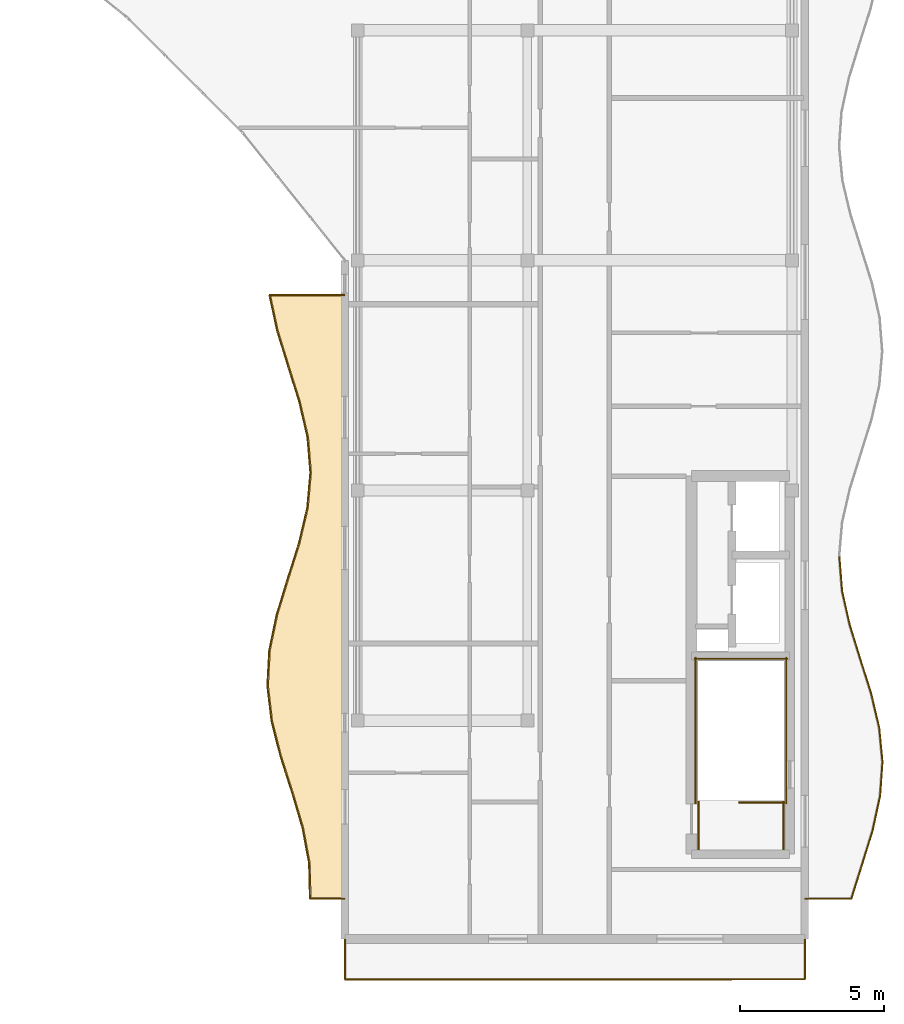
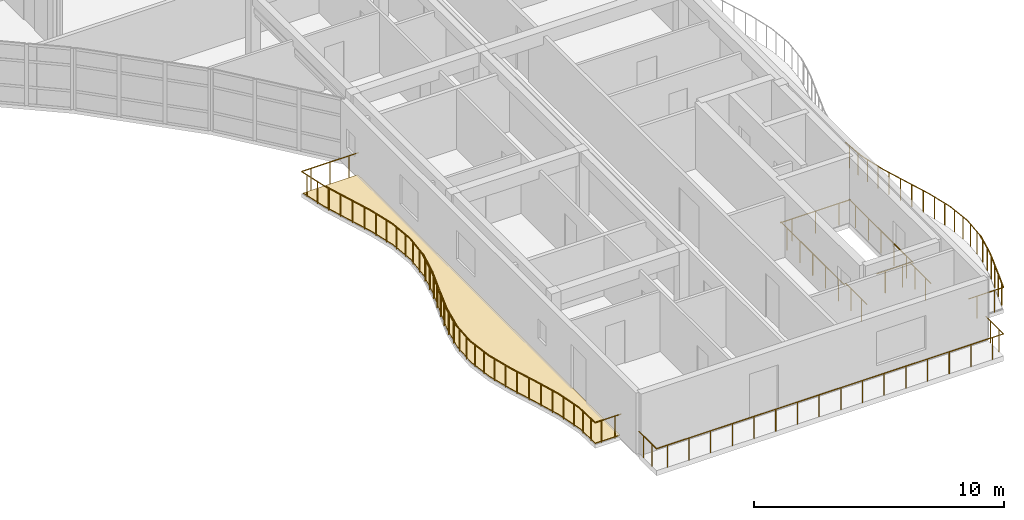
# One storey, part 12 of 14: 39 railings, 1 covering.
"""IFC4 building model written with IfcOpenShell, lengths in metres."""

from ifc_helpers import new_model, si_unit, direction, frame, origin, origin_2d, place, context, subcontext, project, spatial, polyline, circle, outline, extrude, material, layer, layer_set, type_object, element, save


model = new_model("IFC4")

# Units and contexts
model_context = context("Model", 3, precision=1e-05, world=origin(), true_north=direction((0.0, 1.0)))
body_context = subcontext(model_context, "Body", "Model", "MODEL_VIEW")
ifc_project = project(units=[si_unit("LENGTHUNIT", "METRE"), si_unit("AREAUNIT", "SQUARE_METRE"), si_unit("VOLUMEUNIT", "CUBIC_METRE"), si_unit("PLANEANGLEUNIT", "RADIAN"), si_unit("MASSUNIT", "GRAM", prefix="KILO")], contexts=[model_context])

# Site, building, storey
site_placement = place(None, origin())
site = spatial("IfcSite", under=ifc_project, at=site_placement, CompositionType="ELEMENT")
building_placement = place(site_placement, origin())
building = spatial("IfcBuilding", under=site, at=building_placement, Name="Keldmere Railside Commons", CompositionType="ELEMENT")
storey_placement = place(building_placement, frame((0.0, 0.0, 42.56005859375)))
storey = spatial("IfcBuildingStorey", under=building, at=storey_placement, Name="L13", CompositionType="ELEMENT", Elevation=42.56005859375)

# Railings
ifc_material_1 = material(Name="Steel F-24 (S235)", Category="steel")
railing_type_1 = type_object("IfcRailingType", Name="Balcony & Terrace Steel Balustrade 1100", PredefinedType="BALUSTRADE", material=ifc_material_1)
railing_1_placement = place(storey_placement, frame((168.0, 65.800048828125, 0.0)))
element("IfcRailing", 1, at=railing_1_placement, inside=storey, type_object=railing_type_1, Name="GR-1 GRD-L13-4683", PredefinedType="BALUSTRADE", context=body_context, shape_type="SweptSolid", body=[
    extrude(circle(Radius=0.02392578125, at=origin_2d()), frame((0.0, 0.0, 1.076171875), z_axis=(-1.0, 0.0, 0.0), x_axis=(0.0, -1.0, 0.0)), (0.0, 0.0, 1.0), 1.21435546875),
    extrude(circle(Radius=0.02099609375, at=origin_2d()), frame((-0.3037109375, 0.0, 0.0)), (0.0, 0.0, 1.0), 1.048095703125),
    extrude(circle(Radius=0.02099609375, at=origin_2d()), frame((-0.91064453125, 0.0, 0.0)), (0.0, 0.0, 1.0), 1.048095703125),
])
railing_2_placement = place(storey_placement, frame((166.78564453125, 65.800048828125, 0.0)))
element("IfcRailing", 2, at=railing_2_placement, inside=storey, type_object=railing_type_1, Name="GR-1 GRD-L13-4684", PredefinedType="BALUSTRADE", context=body_context, shape_type="SweptSolid", body=[
    extrude(circle(Radius=0.02392578125, at=origin_2d()), frame((0.0, 0.0, 1.076171875), z_axis=(-0.023906209268, 0.99971420574, 0.0), x_axis=(-0.99971420574, -0.023906209268, 0.0)), (0.0, 0.0, 1.0), 1.235595703125),
    extrude(circle(Radius=0.02099609375, at=origin_2d()), frame((-0.00732421875, 0.308837890625, 0.0)), (0.0, 0.0, 1.0), 1.048095703125),
    extrude(circle(Radius=0.02099609375, at=origin_2d()), frame((-0.022216796875, 0.926513671875, 0.0)), (0.0, 0.0, 1.0), 1.048095703125),
])
railing_3_placement = place(storey_placement, frame((166.756103515625, 67.035400390625, 0.0)))
element("IfcRailing", 3, at=railing_3_placement, inside=storey, type_object=railing_type_1, Name="GR-1 GRD-L13-4685", PredefinedType="BALUSTRADE", context=body_context, shape_type="SweptSolid", body=[
    extrude(circle(Radius=0.02392578125, at=origin_2d()), frame((0.0, 0.0, 1.076171875), z_axis=(-0.182680756575, 0.983172284586, 0.0), x_axis=(-0.983172284586, -0.182680756575, 0.0)), (0.0, 0.0, 1.0), 1.25634765625),
    extrude(circle(Radius=0.02099609375, at=origin_2d()), frame((-0.057373046875, 0.308837890625, 0.0)), (0.0, 0.0, 1.0), 1.048095703125),
    extrude(circle(Radius=0.02099609375, at=origin_2d()), frame((-0.172119140625, 0.92626953125, 0.0)), (0.0, 0.0, 1.0), 1.048095703125),
])
railing_4_placement = place(storey_placement, frame((166.526611328125, 68.2705078125, 0.0)))
element("IfcRailing", 4, at=railing_4_placement, inside=storey, type_object=railing_type_1, Name="GR-1 GRD-L13-4686", PredefinedType="BALUSTRADE", context=body_context, shape_type="SweptSolid", body=[
    extrude(circle(Radius=0.02392578125, at=origin_2d()), frame((0.0, 0.0, 1.076171875), z_axis=(-0.283346141017, 0.959017708059, 0.0), x_axis=(-0.959017708059, -0.283346141017, 0.0)), (0.0, 0.0, 1.0), 1.2880859375),
    extrude(circle(Radius=0.02099609375, at=origin_2d()), frame((-0.09130859375, 0.308837890625, 0.0)), (0.0, 0.0, 1.0), 1.048095703125),
    extrude(circle(Radius=0.02099609375, at=origin_2d()), frame((-0.273681640625, 0.926513671875, 0.0)), (0.0, 0.0, 1.0), 1.048095703125),
])
railing_5_placement = place(storey_placement, frame((166.16162109375, 69.505859375, 0.0)))
element("IfcRailing", 5, at=railing_5_placement, inside=storey, type_object=railing_type_1, Name="GR-1 GRD-L13-4687", PredefinedType="BALUSTRADE", context=body_context, shape_type="SweptSolid", body=[
    extrude(circle(Radius=0.02392578125, at=origin_2d()), frame((0.0, 0.0, 1.076171875), z_axis=(-0.305594950601, 0.952161607169, 0.0), x_axis=(-0.952161607169, -0.305594950601, 0.0)), (0.0, 0.0, 1.0), 1.29736328125),
    extrude(circle(Radius=0.02099609375, at=origin_2d()), frame((-0.09912109375, 0.308837890625, 0.0)), (0.0, 0.0, 1.0), 1.048095703125),
    extrude(circle(Radius=0.02099609375, at=origin_2d()), frame((-0.29736328125, 0.926513671875, 0.0)), (0.0, 0.0, 1.0), 1.048095703125),
])
railing_6_placement = place(storey_placement, frame((165.76513671875, 70.7412109375, 0.0)))
element("IfcRailing", 6, at=railing_6_placement, inside=storey, type_object=railing_type_1, Name="GR-1 GRD-L13-4688", PredefinedType="BALUSTRADE", context=body_context, shape_type="SweptSolid", body=[
    extrude(circle(Radius=0.02392578125, at=origin_2d()), frame((0.0, 0.0, 1.076171875), z_axis=(-0.24757829663, 0.968867889363, 0.0), x_axis=(-0.968867889363, -0.24757829663, 0.0)), (0.0, 0.0, 1.0), 1.275146484375),
    extrude(circle(Radius=0.02099609375, at=origin_2d()), frame((-0.078857421875, 0.308837890625, 0.0)), (0.0, 0.0, 1.0), 1.048095703125),
    extrude(circle(Radius=0.02099609375, at=origin_2d()), frame((-0.23681640625, 0.926513671875, 0.0)), (0.0, 0.0, 1.0), 1.048095703125),
])
railing_7_placement = place(storey_placement, frame((165.449462890625, 71.9765625, 0.0)))
element("IfcRailing", 7, at=railing_7_placement, inside=storey, type_object=railing_type_1, Name="GR-1 GRD-L13-4689", PredefinedType="BALUSTRADE", context=body_context, shape_type="SweptSolid", body=[
    extrude(circle(Radius=0.02392578125, at=origin_2d()), frame((0.0, 0.0, 1.076171875), z_axis=(-0.116977899756, 0.993134518063, 0.0), x_axis=(-0.993134518063, -0.116977899756, 0.0)), (0.0, 0.0, 1.0), 1.243896484375),
    extrude(circle(Radius=0.02099609375, at=origin_2d()), frame((-0.036376953125, 0.308837890625, 0.0)), (0.0, 0.0, 1.0), 1.048095703125),
    extrude(circle(Radius=0.02099609375, at=origin_2d()), frame((-0.109130859375, 0.926513671875, 0.0)), (0.0, 0.0, 1.0), 1.048095703125),
])
railing_8_placement = place(storey_placement, frame((165.303955078125, 73.2119140625, 0.0)))
element("IfcRailing", 8, at=railing_8_placement, inside=storey, type_object=railing_type_1, Name="GR-1 GRD-L13-4690", PredefinedType="BALUSTRADE", context=body_context, shape_type="SweptSolid", body=[
    extrude(circle(Radius=0.02392578125, at=origin_2d()), frame((0.0, 0.0, 1.076171875), z_axis=(0.053491206734, 0.998568320548, 0.0), x_axis=(-0.998568320548, 0.053491206734, 0.0)), (0.0, 0.0, 1.0), 1.23681640625),
    extrude(circle(Radius=0.02099609375, at=origin_2d()), frame((0.0166015625, 0.308837890625, 0.0)), (0.0, 0.0, 1.0), 1.048095703125),
    extrude(circle(Radius=0.02099609375, at=origin_2d()), frame((0.049560546875, 0.92626953125, 0.0)), (0.0, 0.0, 1.0), 1.048095703125),
])
railing_9_placement = place(storey_placement, frame((165.3701171875, 74.447021484375, 0.0)))
element("IfcRailing", 9, at=railing_9_placement, inside=storey, type_object=railing_type_1, Name="GR-1 GRD-L13-4691", PredefinedType="BALUSTRADE", context=body_context, shape_type="SweptSolid", body=[
    extrude(circle(Radius=0.02392578125, at=origin_2d()), frame((0.0, 0.0, 1.076171875), z_axis=(0.205035533934, 0.978754529913, 0.0), x_axis=(-0.978754529913, 0.205035533934, 0.0)), (0.0, 0.0, 1.0), 1.26220703125),
    extrude(circle(Radius=0.02099609375, at=origin_2d()), frame((0.064697265625, 0.308837890625, 0.0)), (0.0, 0.0, 1.0), 1.048095703125),
    extrude(circle(Radius=0.02099609375, at=origin_2d()), frame((0.194091796875, 0.926513671875, 0.0)), (0.0, 0.0, 1.0), 1.048095703125),
])
railing_10_placement = place(storey_placement, frame((165.62890625, 75.682373046875, 0.0)))
element("IfcRailing", 10, at=railing_10_placement, inside=storey, type_object=railing_type_1, Name="GR-1 GRD-L13-4692", PredefinedType="BALUSTRADE", context=body_context, shape_type="SweptSolid", body=[
    extrude(circle(Radius=0.02392578125, at=origin_2d()), frame((0.0, 0.0, 1.076171875), z_axis=(0.292943491263, 0.956129756323, 0.0), x_axis=(-0.956129756323, 0.292943491263, 0.0)), (0.0, 0.0, 1.0), 1.291748046875),
    extrude(circle(Radius=0.02099609375, at=origin_2d()), frame((0.0947265625, 0.308837890625, 0.0)), (0.0, 0.0, 1.0), 1.048095703125),
    extrude(circle(Radius=0.02099609375, at=origin_2d()), frame((0.28369140625, 0.92626953125, 0.0)), (0.0, 0.0, 1.0), 1.048095703125),
])
railing_11_placement = place(storey_placement, frame((166.00732421875, 76.91748046875, 0.0)))
element("IfcRailing", 11, at=railing_11_placement, inside=storey, type_object=railing_type_1, Name="GR-1 GRD-L13-4693", PredefinedType="BALUSTRADE", context=body_context, shape_type="SweptSolid", body=[
    extrude(circle(Radius=0.02392578125, at=origin_2d()), frame((0.0, 0.0, 1.076171875), z_axis=(0.301320754583, 0.953522838142, 0.0), x_axis=(-0.953522838142, 0.301320754583, 0.0)), (0.0, 0.0, 1.0), 1.295654296875),
    extrude(circle(Radius=0.02099609375, at=origin_2d()), frame((0.09765625, 0.308837890625, 0.0)), (0.0, 0.0, 1.0), 1.048095703125),
    extrude(circle(Radius=0.02099609375, at=origin_2d()), frame((0.292724609375, 0.926513671875, 0.0)), (0.0, 0.0, 1.0), 1.048095703125),
])
railing_12_placement = place(storey_placement, frame((166.397705078125, 78.15283203125, 0.0)))
element("IfcRailing", 12, at=railing_12_placement, inside=storey, type_object=railing_type_1, Name="GR-1 GRD-L13-4694", PredefinedType="BALUSTRADE", context=body_context, shape_type="SweptSolid", body=[
    extrude(circle(Radius=0.02392578125, at=origin_2d()), frame((0.0, 0.0, 1.076171875), z_axis=(0.229843289324, 0.973227651864, 0.0), x_axis=(-0.973227651864, 0.229843289324, 0.0)), (0.0, 0.0, 1.0), 1.269287109375),
    extrude(circle(Radius=0.02099609375, at=origin_2d()), frame((0.072998046875, 0.308837890625, 0.0)), (0.0, 0.0, 1.0), 1.048095703125),
    extrude(circle(Radius=0.02099609375, at=origin_2d()), frame((0.21875, 0.926513671875, 0.0)), (0.0, 0.0, 1.0), 1.048095703125),
])
railing_13_placement = place(storey_placement, frame((166.689453125, 79.38818359375, 0.0)))
element("IfcRailing", 13, at=railing_13_placement, inside=storey, type_object=railing_type_1, Name="GR-1 GRD-L13-4695", PredefinedType="BALUSTRADE", context=body_context, shape_type="SweptSolid", body=[
    extrude(circle(Radius=0.02392578125, at=origin_2d()), frame((0.0, 0.0, 1.076171875), z_axis=(0.089169066525, 0.99601650467, 0.0), x_axis=(-0.99601650467, 0.089169066525, 0.0)), (0.0, 0.0, 1.0), 1.240234375),
    extrude(circle(Radius=0.02099609375, at=origin_2d()), frame((0.027587890625, 0.308837890625, 0.0)), (0.0, 0.0, 1.0), 1.048095703125),
    extrude(circle(Radius=0.02099609375, at=origin_2d()), frame((0.0830078125, 0.926513671875, 0.0)), (0.0, 0.0, 1.0), 1.048095703125),
])
railing_14_placement = place(storey_placement, frame((166.800048828125, 80.62353515625, 0.0)))
element("IfcRailing", 14, at=railing_14_placement, inside=storey, type_object=railing_type_1, Name="GR-1 GRD-L13-4696", PredefinedType="BALUSTRADE", context=body_context, shape_type="SweptSolid", body=[
    extrude(circle(Radius=0.02392578125, at=origin_2d()), frame((0.0, 0.0, 1.076171875), z_axis=(-0.082523878988, 0.996589087536, 0.0), x_axis=(-0.996589087536, -0.082523878988, 0.0)), (0.0, 0.0, 1.0), 1.239501953125),
    extrude(circle(Radius=0.02099609375, at=origin_2d()), frame((-0.025634765625, 0.308837890625, 0.0)), (0.0, 0.0, 1.0), 1.048095703125),
    extrude(circle(Radius=0.02099609375, at=origin_2d()), frame((-0.07666015625, 0.926513671875, 0.0)), (0.0, 0.0, 1.0), 1.048095703125),
])
railing_15_placement = place(storey_placement, frame((166.69775390625, 81.85888671875, 0.0)))
element("IfcRailing", 15, at=railing_15_placement, inside=storey, type_object=railing_type_1, Name="GR-1 GRD-L13-4697", PredefinedType="BALUSTRADE", context=body_context, shape_type="SweptSolid", body=[
    extrude(circle(Radius=0.02392578125, at=origin_2d()), frame((0.0, 0.0, 1.076171875), z_axis=(-0.225506425741, 0.974241680462, 0.0), x_axis=(-0.974241680462, -0.225506425741, 0.0)), (0.0, 0.0, 1.0), 1.267822265625),
    extrude(circle(Radius=0.02099609375, at=origin_2d()), frame((-0.071533203125, 0.308837890625, 0.0)), (0.0, 0.0, 1.0), 1.048095703125),
    extrude(circle(Radius=0.02099609375, at=origin_2d()), frame((-0.21435546875, 0.92626953125, 0.0)), (0.0, 0.0, 1.0), 1.048095703125),
])
railing_16_placement = place(storey_placement, frame((166.411865234375, 83.093994140625, 0.0)))
element("IfcRailing", 16, at=railing_16_placement, inside=storey, type_object=railing_type_1, Name="GR-1 GRD-L13-4698", PredefinedType="BALUSTRADE", context=body_context, shape_type="SweptSolid", body=[
    extrude(circle(Radius=0.02392578125, at=origin_2d()), frame((0.0, 0.0, 1.076171875), z_axis=(-0.299949151924, 0.953955190908, 0.0), x_axis=(-0.953955190908, -0.299949151924, 0.0)), (0.0, 0.0, 1.0), 1.294921875),
    extrude(circle(Radius=0.02099609375, at=origin_2d()), frame((-0.09716796875, 0.308837890625, 0.0)), (0.0, 0.0, 1.0), 1.048095703125),
    extrude(circle(Radius=0.02099609375, at=origin_2d()), frame((-0.291259765625, 0.926513671875, 0.0)), (0.0, 0.0, 1.0), 1.048095703125),
])
railing_17_placement = place(storey_placement, frame((166.0234375, 84.329345703125, 0.0)))
element("IfcRailing", 17, at=railing_17_placement, inside=storey, type_object=railing_type_1, Name="GR-1 GRD-L13-4699", PredefinedType="BALUSTRADE", context=body_context, shape_type="SweptSolid", body=[
    extrude(circle(Radius=0.02392578125, at=origin_2d()), frame((0.0, 0.0, 1.076171875), z_axis=(-0.29461664428, 0.955615525676, 0.0), x_axis=(-0.955615525676, -0.29461664428, 0.0)), (0.0, 0.0, 1.0), 1.292724609375),
    extrude(circle(Radius=0.02099609375, at=origin_2d()), frame((-0.09521484375, 0.308837890625, 0.0)), (0.0, 0.0, 1.0), 1.048095703125),
    extrude(circle(Radius=0.02099609375, at=origin_2d()), frame((-0.28564453125, 0.926513671875, 0.0)), (0.0, 0.0, 1.0), 1.048095703125),
])
railing_18_placement = place(storey_placement, frame((165.642578125, 85.564697265625, 0.0)))
element("IfcRailing", 18, at=railing_18_placement, inside=storey, type_object=railing_type_1, Name="GR-1 GRD-L13-4700", PredefinedType="BALUSTRADE", context=body_context, shape_type="SweptSolid", body=[
    extrude(circle(Radius=0.02392578125, at=origin_2d()), frame((0.0, 0.0, 1.076171875), z_axis=(-0.210030491483, 0.977694836157, 0.0), x_axis=(-0.977694836157, -0.210030491483, 0.0)), (0.0, 0.0, 1.0), 1.263427734375),
    extrude(circle(Radius=0.02099609375, at=origin_2d()), frame((-0.06640625, 0.308837890625, 0.0)), (0.0, 0.0, 1.0), 1.048095703125),
    extrude(circle(Radius=0.02099609375, at=origin_2d()), frame((-0.198974609375, 0.926513671875, 0.0)), (0.0, 0.0, 1.0), 1.048095703125),
])
railing_19_placement = place(storey_placement, frame((165.377197265625, 86.800048828125, 0.0)))
element("IfcRailing", 19, at=railing_19_placement, inside=storey, type_object=railing_type_1, Name="GR-1 GRD-L13-4701", PredefinedType="BALUSTRADE", context=body_context, shape_type="SweptSolid", body=[
    extrude(circle(Radius=0.02392578125, at=origin_2d()), frame((0.0, 0.0, 1.076171875), z_axis=(1.0, 0.0, 0.0), x_axis=(0.0, 1.0, 0.0)), (0.0, 0.0, 1.0), 2.622802734375),
    extrude(circle(Radius=0.02099609375, at=origin_2d()), frame((0.43701171875, 0.0, 0.0)), (0.0, 0.0, 1.0), 1.048095703125),
    extrude(circle(Radius=0.02099609375, at=origin_2d()), frame((1.3115234375, 0.0, 0.0)), (0.0, 0.0, 1.0), 1.048095703125),
    extrude(circle(Radius=0.02099609375, at=origin_2d()), frame((2.185546875, 0.0, 0.0)), (0.0, 0.0, 1.0), 1.048095703125),
])
railing_20_placement = place(storey_placement, frame((184.0, 65.800048828125, 0.0)))
element("IfcRailing", 20, at=railing_20_placement, inside=storey, type_object=railing_type_1, Name="GR-1 GRD-L13-4702", PredefinedType="BALUSTRADE", context=body_context, shape_type="SweptSolid", body=[
    extrude(circle(Radius=0.02392578125, at=origin_2d()), frame((0.0, 0.0, 1.076171875), z_axis=(1.0, 0.0, 0.0), x_axis=(0.0, 1.0, 0.0)), (0.0, 0.0, 1.0), 1.61279296875),
    extrude(circle(Radius=0.02099609375, at=origin_2d()), frame((0.4033203125, 0.0, 0.0)), (0.0, 0.0, 1.0), 1.048095703125),
    extrude(circle(Radius=0.02099609375, at=origin_2d()), frame((1.20947265625, 0.0, 0.0)), (0.0, 0.0, 1.0), 1.048095703125),
])
railing_21_placement = place(storey_placement, frame((185.61279296875, 65.800048828125, 0.0)))
element("IfcRailing", 21, at=railing_21_placement, inside=storey, type_object=railing_type_1, Name="GR-1 GRD-L13-4703", PredefinedType="BALUSTRADE", context=body_context, shape_type="SweptSolid", body=[
    extrude(circle(Radius=0.02392578125, at=origin_2d()), frame((0.0, 0.0, 1.076171875), z_axis=(0.301870960272, 0.95334879417, 0.0), x_axis=(-0.95334879417, 0.301870960272, 0.0)), (0.0, 0.0, 1.0), 1.247802734375),
    extrude(circle(Radius=0.02099609375, at=origin_2d()), frame((0.09423828125, 0.29736328125, 0.0)), (0.0, 0.0, 1.0), 1.048095703125),
    extrude(circle(Radius=0.02099609375, at=origin_2d()), frame((0.282470703125, 0.892333984375, 0.0)), (0.0, 0.0, 1.0), 1.048095703125),
])
railing_22_placement = place(storey_placement, frame((185.989501953125, 66.98974609375, 0.0)))
element("IfcRailing", 22, at=railing_22_placement, inside=storey, type_object=railing_type_1, Name="GR-1 GRD-L13-4704", PredefinedType="BALUSTRADE", context=body_context, shape_type="SweptSolid", body=[
    extrude(circle(Radius=0.02392578125, at=origin_2d()), frame((0.0, 0.0, 1.076171875), z_axis=(0.294375244008, 0.95568991609, 0.0), x_axis=(-0.95568991609, 0.294375244008, 0.0)), (0.0, 0.0, 1.0), 1.244873046875),
    extrude(circle(Radius=0.02099609375, at=origin_2d()), frame((0.091552734375, 0.29736328125, 0.0)), (0.0, 0.0, 1.0), 1.048095703125),
    extrude(circle(Radius=0.02099609375, at=origin_2d()), frame((0.27490234375, 0.892333984375, 0.0)), (0.0, 0.0, 1.0), 1.048095703125),
])
railing_23_placement = place(storey_placement, frame((186.35595703125, 68.179443359375, 0.0)))
element("IfcRailing", 23, at=railing_23_placement, inside=storey, type_object=railing_type_1, Name="GR-1 GRD-L13-4705", PredefinedType="BALUSTRADE", context=body_context, shape_type="SweptSolid", body=[
    extrude(circle(Radius=0.02392578125, at=origin_2d()), frame((0.0, 0.0, 1.076171875), z_axis=(0.212937395341, 0.977065845102, 0.0), x_axis=(-0.977065845102, 0.212937395341, 0.0)), (0.0, 0.0, 1.0), 1.217529296875),
    extrude(circle(Radius=0.02099609375, at=origin_2d()), frame((0.06494140625, 0.29736328125, 0.0)), (0.0, 0.0, 1.0), 1.048095703125),
    extrude(circle(Radius=0.02099609375, at=origin_2d()), frame((0.1943359375, 0.892333984375, 0.0)), (0.0, 0.0, 1.0), 1.048095703125),
])
railing_24_placement = place(storey_placement, frame((186.615234375, 69.369140625, 0.0)))
element("IfcRailing", 24, at=railing_24_placement, inside=storey, type_object=railing_type_1, Name="GR-1 GRD-L13-4706", PredefinedType="BALUSTRADE", context=body_context, shape_type="SweptSolid", body=[
    extrude(circle(Radius=0.02392578125, at=origin_2d()), frame((0.0, 0.0, 1.076171875), z_axis=(0.070607088783, 0.99750420501, 0.0), x_axis=(-0.99750420501, 0.070607088783, 0.0)), (0.0, 0.0, 1.0), 1.19287109375),
    extrude(circle(Radius=0.02099609375, at=origin_2d()), frame((0.02099609375, 0.29736328125, 0.0)), (0.0, 0.0, 1.0), 1.048095703125),
    extrude(circle(Radius=0.02099609375, at=origin_2d()), frame((0.063232421875, 0.892578125, 0.0)), (0.0, 0.0, 1.0), 1.048095703125),
])
railing_25_placement = place(storey_placement, frame((186.699462890625, 70.55908203125, 0.0)))
element("IfcRailing", 25, at=railing_25_placement, inside=storey, type_object=railing_type_1, Name="GR-1 GRD-L13-4707", PredefinedType="BALUSTRADE", context=body_context, shape_type="SweptSolid", body=[
    extrude(circle(Radius=0.02392578125, at=origin_2d()), frame((0.0, 0.0, 1.076171875), z_axis=(-0.094789811459, 0.995497308707, 0.0), x_axis=(-0.995497308707, -0.094789811459, 0.0)), (0.0, 0.0, 1.0), 1.195068359375),
    extrude(circle(Radius=0.02099609375, at=origin_2d()), frame((-0.0283203125, 0.29736328125, 0.0)), (0.0, 0.0, 1.0), 1.048095703125),
    extrude(circle(Radius=0.02099609375, at=origin_2d()), frame((-0.0849609375, 0.892333984375, 0.0)), (0.0, 0.0, 1.0), 1.048095703125),
])
railing_26_placement = place(storey_placement, frame((186.586181640625, 71.748779296875, 0.0)))
element("IfcRailing", 26, at=railing_26_placement, inside=storey, type_object=railing_type_1, Name="GR-1 GRD-L13-4708", PredefinedType="BALUSTRADE", context=body_context, shape_type="SweptSolid", body=[
    extrude(circle(Radius=0.02392578125, at=origin_2d()), frame((0.0, 0.0, 1.076171875), z_axis=(-0.229874131532, 0.973220367467, 0.0), x_axis=(-0.973220367467, -0.229874131532, 0.0)), (0.0, 0.0, 1.0), 1.222412109375),
    extrude(circle(Radius=0.02099609375, at=origin_2d()), frame((-0.0703125, 0.29736328125, 0.0)), (0.0, 0.0, 1.0), 1.048095703125),
    extrude(circle(Radius=0.02099609375, at=origin_2d()), frame((-0.210693359375, 0.892333984375, 0.0)), (0.0, 0.0, 1.0), 1.048095703125),
])
railing_27_placement = place(storey_placement, frame((186.30517578125, 72.9384765625, 0.0)))
element("IfcRailing", 27, at=railing_27_placement, inside=storey, type_object=railing_type_1, Name="GR-1 GRD-L13-4709", PredefinedType="BALUSTRADE", context=body_context, shape_type="SweptSolid", body=[
    extrude(circle(Radius=0.02392578125, at=origin_2d()), frame((0.0, 0.0, 1.076171875), z_axis=(-0.300269385159, 0.953854441902, 0.0), x_axis=(-0.953854441902, -0.300269385159, 0.0)), (0.0, 0.0, 1.0), 1.247314453125),
    extrude(circle(Radius=0.02099609375, at=origin_2d()), frame((-0.09375, 0.29736328125, 0.0)), (0.0, 0.0, 1.0), 1.048095703125),
    extrude(circle(Radius=0.02099609375, at=origin_2d()), frame((-0.28076171875, 0.892333984375, 0.0)), (0.0, 0.0, 1.0), 1.048095703125),
])
railing_28_placement = place(storey_placement, frame((185.9306640625, 74.128173828125, 0.0)))
element("IfcRailing", 28, at=railing_28_placement, inside=storey, type_object=railing_type_1, Name="GR-1 GRD-L13-4710", PredefinedType="BALUSTRADE", context=body_context, shape_type="SweptSolid", body=[
    extrude(circle(Radius=0.02392578125, at=origin_2d()), frame((0.0, 0.0, 1.076171875), z_axis=(-0.29652249898, 0.955025867502, 0.0), x_axis=(-0.955025867502, -0.29652249898, 0.0)), (0.0, 0.0, 1.0), 1.24560546875),
    extrude(circle(Radius=0.02099609375, at=origin_2d()), frame((-0.09228515625, 0.29736328125, 0.0)), (0.0, 0.0, 1.0), 1.048095703125),
    extrude(circle(Radius=0.02099609375, at=origin_2d()), frame((-0.277099609375, 0.892333984375, 0.0)), (0.0, 0.0, 1.0), 1.048095703125),
])
railing_29_placement = place(storey_placement, frame((185.561279296875, 75.31787109375, 0.0)))
element("IfcRailing", 29, at=railing_29_placement, inside=storey, type_object=railing_type_1, Name="GR-1 GRD-L13-4711", PredefinedType="BALUSTRADE", context=body_context, shape_type="SweptSolid", body=[
    extrude(circle(Radius=0.02392578125, at=origin_2d()), frame((0.0, 0.0, 1.076171875), z_axis=(-0.219007226314, 0.975723236795, 0.0), x_axis=(-0.975723236795, -0.219007226314, 0.0)), (0.0, 0.0, 1.0), 1.219482421875),
    extrude(circle(Radius=0.02099609375, at=origin_2d()), frame((-0.06689453125, 0.29736328125, 0.0)), (0.0, 0.0, 1.0), 1.048095703125),
    extrude(circle(Radius=0.02099609375, at=origin_2d()), frame((-0.2001953125, 0.892578125, 0.0)), (0.0, 0.0, 1.0), 1.048095703125),
])
railing_30_placement = place(storey_placement, frame((185.294189453125, 76.5078125, 0.0)))
element("IfcRailing", 30, at=railing_30_placement, inside=storey, type_object=railing_type_1, Name="GR-1 GRD-L13-4712", PredefinedType="BALUSTRADE", context=body_context, shape_type="SweptSolid", body=[
    extrude(circle(Radius=0.02392578125, at=origin_2d()), frame((0.0, 0.0, 1.076171875), z_axis=(-0.078761337526, 0.996893500687, 0.0), x_axis=(-0.996893500687, -0.078761337526, 0.0)), (0.0, 0.0, 1.0), 1.193359375),
    extrude(circle(Radius=0.02099609375, at=origin_2d()), frame((-0.0234375, 0.29736328125, 0.0)), (0.0, 0.0, 1.0), 1.048095703125),
    extrude(circle(Radius=0.02099609375, at=origin_2d()), frame((-0.070556640625, 0.892333984375, 0.0)), (0.0, 0.0, 1.0), 1.048095703125),
])
railing_31_placement = place(storey_placement, frame((168.0, 64.39990234375, 0.0)))
element("IfcRailing", 31, at=railing_31_placement, inside=storey, type_object=railing_type_1, Name="GR-1 GRD-L13-4754", PredefinedType="BALUSTRADE", context=body_context, shape_type="SweptSolid", body=[
    extrude(circle(Radius=0.02392578125, at=origin_2d()), frame((0.0, 0.0, 1.076171875), z_axis=(0.0, -1.0, 0.0), x_axis=(1.0, 0.0, 0.0)), (0.0, 0.0, 1.0), 1.39990234375),
    extrude(circle(Radius=0.02099609375, at=origin_2d()), frame((0.0, -0.35009765625, 0.0)), (0.0, 0.0, 1.0), 1.048095703125),
    extrude(circle(Radius=0.02099609375, at=origin_2d()), frame((0.0, -1.0498046875, 0.0)), (0.0, 0.0, 1.0), 1.048095703125),
])
railing_32_placement = place(storey_placement, frame((168.0, 63.0, 0.0)))
element("IfcRailing", 32, at=railing_32_placement, inside=storey, type_object=railing_type_1, Name="GR-1 GRD-L13-4755", PredefinedType="BALUSTRADE", context=body_context, shape_type="SweptSolid", body=[
    extrude(circle(Radius=0.02392578125, at=origin_2d()), frame((0.0, 0.0, 1.076171875), z_axis=(1.0, 0.0, 0.0), x_axis=(0.0, 1.0, 0.0)), (0.0, 0.0, 1.0), 16.0),
    extrude(circle(Radius=0.02099609375, at=origin_2d()), frame((0.5, 0.0, 0.0)), (0.0, 0.0, 1.0), 1.048095703125),
    extrude(circle(Radius=0.02099609375, at=origin_2d()), frame((1.5, 0.0, 0.0)), (0.0, 0.0, 1.0), 1.048095703125),
    extrude(circle(Radius=0.02099609375, at=origin_2d()), frame((2.5, 0.0, 0.0)), (0.0, 0.0, 1.0), 1.048095703125),
    extrude(circle(Radius=0.02099609375, at=origin_2d()), frame((3.5, 0.0, 0.0)), (0.0, 0.0, 1.0), 1.048095703125),
    extrude(circle(Radius=0.02099609375, at=origin_2d()), frame((4.5, 0.0, 0.0)), (0.0, 0.0, 1.0), 1.048095703125),
    extrude(circle(Radius=0.02099609375, at=origin_2d()), frame((5.5, 0.0, 0.0)), (0.0, 0.0, 1.0), 1.048095703125),
    extrude(circle(Radius=0.02099609375, at=origin_2d()), frame((6.5, 0.0, 0.0)), (0.0, 0.0, 1.0), 1.048095703125),
    extrude(circle(Radius=0.02099609375, at=origin_2d()), frame((7.5, 0.0, 0.0)), (0.0, 0.0, 1.0), 1.048095703125),
    extrude(circle(Radius=0.02099609375, at=origin_2d()), frame((8.5, 0.0, 0.0)), (0.0, 0.0, 1.0), 1.048095703125),
    extrude(circle(Radius=0.02099609375, at=origin_2d()), frame((9.5, 0.0, 0.0)), (0.0, 0.0, 1.0), 1.048095703125),
    extrude(circle(Radius=0.02099609375, at=origin_2d()), frame((10.5, 0.0, 0.0)), (0.0, 0.0, 1.0), 1.048095703125),
    extrude(circle(Radius=0.02099609375, at=origin_2d()), frame((11.5, 0.0, 0.0)), (0.0, 0.0, 1.0), 1.048095703125),
    extrude(circle(Radius=0.02099609375, at=origin_2d()), frame((12.5, 0.0, 0.0)), (0.0, 0.0, 1.0), 1.048095703125),
    extrude(circle(Radius=0.02099609375, at=origin_2d()), frame((13.5, 0.0, 0.0)), (0.0, 0.0, 1.0), 1.048095703125),
    extrude(circle(Radius=0.02099609375, at=origin_2d()), frame((14.5, 0.0, 0.0)), (0.0, 0.0, 1.0), 1.048095703125),
    extrude(circle(Radius=0.02099609375, at=origin_2d()), frame((15.5, 0.0, 0.0)), (0.0, 0.0, 1.0), 1.048095703125),
])
railing_33_placement = place(storey_placement, frame((184.0, 63.0, 0.0)))
element("IfcRailing", 33, at=railing_33_placement, inside=storey, type_object=railing_type_1, Name="GR-1 GRD-L13-4756", PredefinedType="BALUSTRADE", context=body_context, shape_type="SweptSolid", body=[
    extrude(circle(Radius=0.02392578125, at=origin_2d()), frame((0.0, 0.0, 1.076171875), z_axis=(0.0, 1.0, 0.0), x_axis=(-1.0, 0.0, 0.0)), (0.0, 0.0, 1.0), 1.39990234375),
    extrude(circle(Radius=0.02099609375, at=origin_2d()), frame((0.0, 0.35009765625, 0.0)), (0.0, 0.0, 1.0), 1.048095703125),
    extrude(circle(Radius=0.02099609375, at=origin_2d()), frame((0.0, 1.0498046875, 0.0)), (0.0, 0.0, 1.0), 1.048095703125),
])
railing_type_2 = type_object("IfcRailingType", Name="Stair Well Steel Guardrail 1100", PredefinedType="BALUSTRADE", material=ifc_material_1)
railing_34_placement = place(storey_placement, frame((183.300048828125, 69.14990234375, 0.0)))
element("IfcRailing", 34, at=railing_34_placement, inside=storey, type_object=railing_type_2, Name="L13 ST-A1 top well guard 1", PredefinedType="BALUSTRADE", context=body_context, shape_type="SweptSolid", body=[
    extrude(circle(Radius=0.02392578125, at=origin_2d()), frame((0.0, 0.0, 1.076171875), z_axis=(-1.0, 0.0, 0.0), x_axis=(0.0, -1.0, 0.0)), (0.0, 0.0, 1.0), 1.60009765625),
    extrude(circle(Radius=0.02099609375, at=origin_2d()), frame((-0.39990234375, 0.0, 0.0)), (0.0, 0.0, 1.0), 1.048095703125),
    extrude(circle(Radius=0.02099609375, at=origin_2d()), frame((-1.2001953125, 0.0, 0.0)), (0.0, 0.0, 1.0), 1.048095703125),
])
for number, where, name in (
    (35, (183.35009765625, 69.10009765625, 0.0), "L13 ST-A1 top well guard 2"),
    (36, (180.199951171875, 69.10009765625, 0.0), "L13 ST-A1 top well guard 3"),
):
    element("IfcRailing", number, at=place(storey_placement, frame(where)), inside=storey, type_object=railing_type_2, Name=name, PredefinedType="BALUSTRADE", context=body_context, shape_type="SweptSolid", body=[
        extrude(circle(Radius=0.02392578125, at=origin_2d()), frame((0.0, 0.0, 1.076171875), z_axis=(0.0, 1.0, 0.0), x_axis=(-1.0, 0.0, 0.0)), (0.0, 0.0, 1.0), 5.099853515625),
        extrude(circle(Radius=0.02099609375, at=origin_2d()), frame((0.0, 0.510009765625, 0.0)), (0.0, 0.0, 1.0), 1.048095703125),
        extrude(circle(Radius=0.02099609375, at=origin_2d()), frame((0.0, 1.530029296875, 0.0)), (0.0, 0.0, 1.0), 1.048095703125),
        extrude(circle(Radius=0.02099609375, at=origin_2d()), frame((0.0, 2.5498046875, 0.0)), (0.0, 0.0, 1.0), 1.048095703125),
        extrude(circle(Radius=0.02099609375, at=origin_2d()), frame((0.0, 3.56982421875, 0.0)), (0.0, 0.0, 1.0), 1.048095703125),
        extrude(circle(Radius=0.02099609375, at=origin_2d()), frame((0.0, 4.58984375, 0.0)), (0.0, 0.0, 1.0), 1.048095703125),
    ])
railing_35_placement = place(storey_placement, frame((183.39990234375, 74.14990234375, 0.0)))
element("IfcRailing", 37, at=railing_35_placement, inside=storey, type_object=railing_type_2, Name="L13 ST-A1 top well guard 4", PredefinedType="BALUSTRADE", context=body_context, shape_type="SweptSolid", body=[
    extrude(circle(Radius=0.02392578125, at=origin_2d()), frame((0.0, 0.0, 1.076171875), z_axis=(-1.0, 0.0, 0.0), x_axis=(0.0, -1.0, 0.0)), (0.0, 0.0, 1.0), 3.25),
    extrude(circle(Radius=0.02099609375, at=origin_2d()), frame((-0.541748046875, 0.0, 0.0)), (0.0, 0.0, 1.0), 1.048095703125),
    extrude(circle(Radius=0.02099609375, at=origin_2d()), frame((-1.625, 0.0, 0.0)), (0.0, 0.0, 1.0), 1.048095703125),
    extrude(circle(Radius=0.02099609375, at=origin_2d()), frame((-2.708251953125, 0.0, 0.0)), (0.0, 0.0, 1.0), 1.048095703125),
])
for number, where, name in (
    (38, (183.25, 67.5, 0.0), "L13 ST-A1 top well guard 5"),
    (39, (180.300048828125, 67.5, 0.0), "L13 ST-A1 top well guard 6"),
):
    element("IfcRailing", number, at=place(storey_placement, frame(where)), inside=storey, type_object=railing_type_2, Name=name, PredefinedType="BALUSTRADE", context=body_context, shape_type="SweptSolid", body=[
        extrude(circle(Radius=0.02392578125, at=origin_2d()), frame((0.0, 0.0, 1.076171875), z_axis=(0.0, 1.0, 0.0), x_axis=(-1.0, 0.0, 0.0)), (0.0, 0.0, 1.0), 1.699951171875),
        extrude(circle(Radius=0.02099609375, at=origin_2d()), frame((0.0, 0.425048828125, 0.0)), (0.0, 0.0, 1.0), 1.048095703125),
        extrude(circle(Radius=0.02099609375, at=origin_2d()), frame((0.0, 1.27490234375, 0.0)), (0.0, 0.0, 1.0), 1.048095703125),
    ])

# Covering
ifc_material_2 = material(Name="White Precast Concrete C35/45", Category="concrete")
ifc_layer = layer(ifc_material_2, 0.044921875, Name="White Architectural Balcony Ribbon Cladding 45")
ifc_layer_set = layer_set([ifc_layer], Name="White Precast Concrete C35/45")
covering_type = type_object("IfcCoveringType", Name="White Architectural Balcony Ribbon Cladding 45", PredefinedType="FLOORING", material=ifc_layer_set)
covering_placement = place(storey_placement, origin())
element("IfcCovering", 40, at=covering_placement, inside=storey, type_object=covering_type, Name="CLG-WB A L13 CW White Balcony Ribbon", PredefinedType="FLOORING", context=body_context, shape_type="SweptSolid", body=[
    extrude(outline(polyline([(167.9599609375, 86.760009765625), (165.426513671875, 86.760009765625), (165.68115234375, 85.57470703125), (166.0615234375, 84.34130859375), (166.4501953125, 83.106201171875), (166.450927734375, 83.10302734375), (166.73681640625, 81.867919921875), (166.73779296875, 81.862060546875), (166.83984375, 80.626708984375), (166.840087890625, 80.623291015625), (166.83984375, 80.619873046875), (166.729248046875, 79.384521484375), (166.728515625, 79.37890625), (166.4365234375, 78.143798828125), (166.435791015625, 78.140869140625), (166.04541015625, 76.90576171875), (165.667724609375, 75.67236328125), (165.409912109375, 74.44189453125), (165.343994140625, 73.213134765625), (165.48876953125, 71.98388671875), (165.8037109375, 70.752197265625), (166.19970703125, 69.51806640625), (166.199951171875, 69.51708984375), (166.56494140625, 68.281982421875), (166.56591796875, 68.27783203125), (166.79541015625, 67.04248046875), (166.7958984375, 67.039306640625), (166.796142578125, 67.036376953125), (166.82470703125, 65.840087890625), (167.9599609375, 65.840087890625), (167.9599609375, 86.760009765625)])), origin(), (0.0, 0.0, 1.0), 0.044921875),
])

save(model, "model.ifc")
